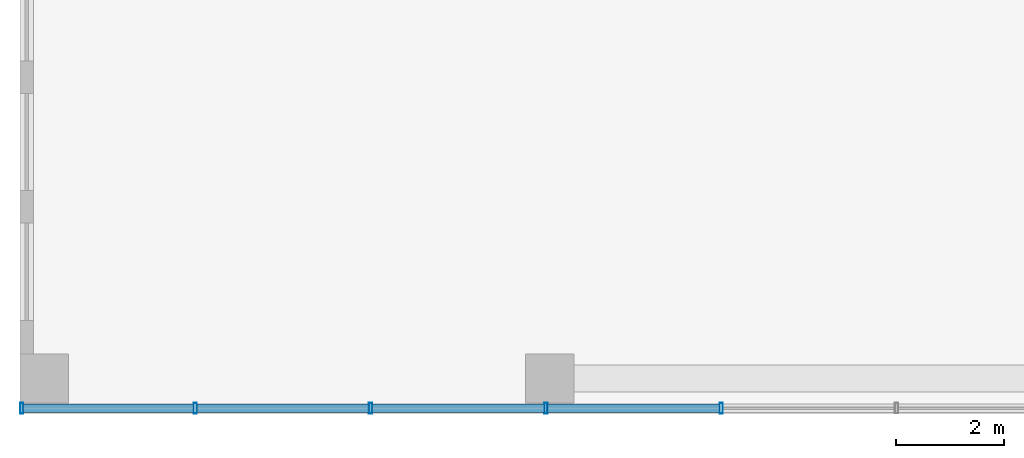
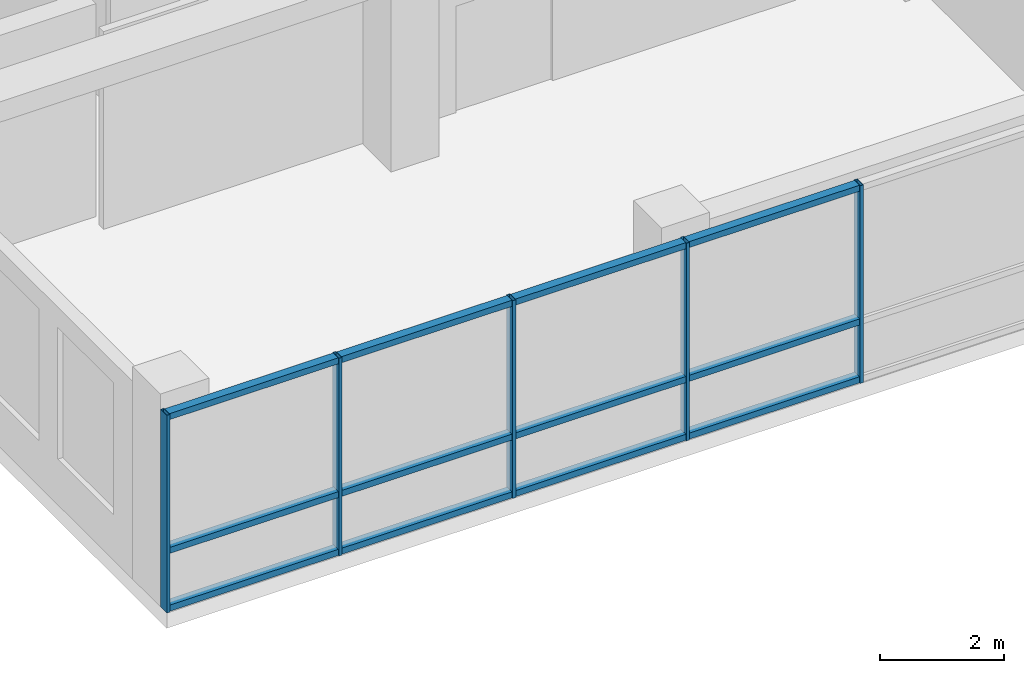
# One storey, part 2 of 38: 17 members, 1 element without a shape of its own.
"""IFC4 building model written with IfcOpenShell, lengths in metres."""

import ifcopenshell
import ifcopenshell.guid

model = None  # the IFC model being written
_history = None  # IfcOwnerHistory: only IFC2X3 demands one
_inside = {}  # id of a spatial element -> (the spatial element, [elements in it])
_under = {}  # id of a project, library or spatial element -> (it, [spatial elements below it])
_declared = {}  # id of a project -> (the project, [libraries it declares])
_typed = {}  # id of a type object -> (the type object, [elements of that type])
_made_of = {}  # id of a material, layer set ... -> (it, [elements and type objects made of it])


def new_model(schema):
    """Start an empty IFC model of exactly this schema.

    Asked for "IFC4X3", IfcOpenShell would pick the latest addendum, in which some entities
    have other attributes; the version numbers below select the first issue.
    IFC2X3 requires an IfcOwnerHistory on every rooted entity: one is made here for all.
    """
    global model, _history
    if schema == "IFC4X3":
        model = ifcopenshell.file(schema_version=(4, 3, 0, 0))
    else:
        model = ifcopenshell.file(schema=schema)
    _inside.clear()
    _under.clear()
    _declared.clear()
    _typed.clear()
    _made_of.clear()
    _history = None
    if model.schema == "IFC2X3":
        org = make("IfcOrganization", Name="unknown")
        user = make(
            "IfcPersonAndOrganization",
            ThePerson=make("IfcPerson", FamilyName="unknown"),
            TheOrganization=org,
        )
        app = make(
            "IfcApplication",
            ApplicationDeveloper=org,
            Version="unknown",
            ApplicationFullName="unknown",
            ApplicationIdentifier="unknown",
        )
        _history = make(
            "IfcOwnerHistory",
            OwningUser=user,
            OwningApplication=app,
            ChangeAction="ADDED",
            CreationDate=0,
        )
    return model


def make(cls, **values):
    """One entity of the class cls with the attributes given. An attribute that is None is left unset."""
    return model.create_entity(
        cls, **{name: value for name, value in values.items() if value is not None}
    )


def rooted(cls, **values):
    """An entity with a GlobalId (a new one), such as an element, a storey or a relation."""
    return make(cls, GlobalId=ifcopenshell.guid.new(), OwnerHistory=_history, **values)


def si_unit(unit_type, name, prefix=None):
    """IfcSIUnit, for example si_unit("LENGTHUNIT", "METRE", prefix="MILLI")."""
    return make("IfcSIUnit", UnitType=unit_type, Prefix=prefix, Name=name)


def assignment(units):
    """IfcUnitAssignment: the units of a project."""
    return None if units is None else make("IfcUnitAssignment", Units=units)


def point(xyz):
    """IfcCartesianPoint."""
    return None if xyz is None else make("IfcCartesianPoint", Coordinates=xyz)


def direction(xyz):
    """IfcDirection."""
    return None if xyz is None else make("IfcDirection", DirectionRatios=xyz)


def frame(location, z_axis=None, x_axis=None):
    """IfcAxis2Placement3D, a coordinate frame: its origin and axes. An axis left out is left unset."""
    return make(
        "IfcAxis2Placement3D",
        Location=point(location),
        Axis=direction(z_axis),
        RefDirection=direction(x_axis),
    )


def frame_2d(location, x_axis=None):
    """IfcAxis2Placement2D, a coordinate frame in the plane: its origin and x axis."""
    return make(
        "IfcAxis2Placement2D", Location=point(location), RefDirection=direction(x_axis)
    )


def origin():
    """The frame at (0, 0, 0) with its axes left unset."""
    return frame((0.0, 0.0, 0.0))


def origin_2d():
    """The frame at (0, 0) in the plane with its x axis left unset."""
    return frame_2d((0.0, 0.0))


def place(relative_to, where):
    """IfcLocalPlacement: puts the frame where relative to a parent placement (None: the world)."""
    return make(
        "IfcLocalPlacement", PlacementRelTo=relative_to, RelativePlacement=where
    )


def context(
    kind, dimensions, precision=None, world=None, true_north=None, identifier=None
):
    """IfcGeometricRepresentationContext, for example the 3D "Model" context."""
    return make(
        "IfcGeometricRepresentationContext",
        ContextIdentifier=identifier,
        ContextType=kind,
        CoordinateSpaceDimension=dimensions,
        Precision=precision,
        WorldCoordinateSystem=world,
        TrueNorth=true_north,
    )


def subcontext(parent, identifier, kind, view, scale=None):
    """IfcGeometricRepresentationSubContext, for example "Body" below "Model"."""
    return make(
        "IfcGeometricRepresentationSubContext",
        ContextIdentifier=identifier,
        ContextType=kind,
        ParentContext=parent,
        TargetScale=scale,
        TargetView=view,
    )


def project(units=None, contexts=None):
    """IfcProject with its units and contexts."""
    return rooted(
        "IfcProject",
        Name="project",
        RepresentationContexts=contexts,
        UnitsInContext=assignment(units),
    )


def spatial(cls, under=None, at=None, **own):
    """A site, building, storey or space (cls), placed at a placement, below another one or the project."""
    s = rooted(cls, ObjectPlacement=at, **own)
    if under is not None:
        _under.setdefault(under.id(), (under, []))[1].append(s)
    return s


def profile(cls, at=None, kind="AREA", **sizes):
    """A parametric profile (cls). Its sizes go by their IFC names, for example OverallWidth=200.0."""
    return make(cls, ProfileType=kind, Position=at, **sizes)


def hollow_rectangle(**sizes):
    """IfcRectangleHollowProfileDef."""
    return profile("IfcRectangleHollowProfileDef", **sizes)


def extrude(swept, where, along, depth):
    """IfcExtrudedAreaSolid: the profile swept, set in the frame where, extruded along a direction by depth."""
    return make(
        "IfcExtrudedAreaSolid",
        SweptArea=swept,
        Position=where,
        ExtrudedDirection=direction(along),
        Depth=depth,
    )


def shape(context_of_items, identifier, shape_type, items):
    """IfcShapeRepresentation: the items that make up one representation, for example the "Body"."""
    return make(
        "IfcShapeRepresentation",
        ContextOfItems=context_of_items,
        RepresentationIdentifier=identifier,
        RepresentationType=shape_type,
        Items=items,
    )


def material(Name=None, Category=None):
    """IfcMaterial."""
    return make("IfcMaterial", Name=Name, Category=Category)


def layer(
    of_material, thickness, ventilated=None, Name=None, Category=None, Priority=None
):
    """IfcMaterialLayer: one layer of a wall or slab, of a material (None: an air gap)."""
    return make(
        "IfcMaterialLayer",
        Material=of_material,
        LayerThickness=thickness,
        IsVentilated=ventilated,
        Name=Name,
        Category=Category,
        Priority=Priority,
    )


def layer_set(layers, Name=None):
    """IfcMaterialLayerSet."""
    return make("IfcMaterialLayerSet", MaterialLayers=layers, LayerSetName=Name)


def material_profile(
    of_material, cross_section, Name=None, Category=None, Priority=None
):
    """IfcMaterialProfile: a cross section and its material."""
    return make(
        "IfcMaterialProfile",
        Name=Name,
        Material=of_material,
        Profile=cross_section,
        Priority=Priority,
        Category=Category,
    )


def profile_set(profiles, Name=None, composite=None):
    """IfcMaterialProfileSet."""
    return make(
        "IfcMaterialProfileSet",
        Name=Name,
        MaterialProfiles=profiles,
        CompositeProfile=composite,
    )


def made_of(thing, what):
    """Note that an element or type object is made of a material, layer set ...; save() writes the relation."""
    if what is not None:
        _made_of.setdefault(what.id(), (what, []))[1].append(thing)
    return thing


def type_object(cls, material=None, **own):
    """A type object (cls), such as IfcWallType, which elements share."""
    return made_of(rooted(cls, **own), material)


def element(
    cls,
    number,
    at=None,
    inside=None,
    cuts=None,
    type_object=None,
    material=None,
    context=None,
    identifier="Body",
    shape_type=None,
    held_by="IfcProductDefinitionShape",
    body=None,
    shapes=None,
    **own,
):
    """One element of the class cls, such as IfcWall. Its Tag is "e" and its number.

    at: its placement. inside: the storey or other place that contains it. cuts: it is an
    opening in that element (IfcRelVoidsElement). A single representation is given by context,
    identifier, shape_type and body (its items); several are given by shapes. held_by: the class
    of the entity that holds the representations. save() writes the other relations.
    """
    e = rooted(cls, Tag="e%d" % number, ObjectPlacement=at, **own)
    if body is not None:
        shapes = [shape(context, identifier, shape_type, body)]
    if shapes is not None:
        e.Representation = make(held_by, Representations=shapes)
    if inside is not None:
        _inside.setdefault(inside.id(), (inside, []))[1].append(e)
    if cuts is not None:
        rooted(
            "IfcRelVoidsElement", RelatingBuildingElement=cuts, RelatedOpeningElement=e
        )
    if type_object is not None:
        _typed.setdefault(type_object.id(), (type_object, []))[1].append(e)
    return made_of(e, material)


def aggregate(whole, parts):
    """IfcRelAggregates: a whole, such as a stair, and the parts it consists of."""
    return rooted("IfcRelAggregates", RelatingObject=whole, RelatedObjects=parts)


def save(model, path):
    """Write the relations noted so far, then the file.

    IfcRelAggregates (storeys below a building ...), IfcRelContainedInSpatialStructure (elements
    in a storey), IfcRelDefinesByType, IfcRelAssociatesMaterial and IfcRelDeclares: one each for
    every whole, place, type object, material and project.
    """
    for whole, parts in _under.values():
        aggregate(whole, parts)
    for where, things in _inside.values():
        rooted(
            "IfcRelContainedInSpatialStructure",
            RelatedElements=things,
            RelatingStructure=where,
        )
    for kind, things in _typed.values():
        rooted("IfcRelDefinesByType", RelatedObjects=things, RelatingType=kind)
    for what, things in _made_of.values():
        rooted("IfcRelAssociatesMaterial", RelatedObjects=things, RelatingMaterial=what)
    for by, libraries in _declared.values():
        rooted("IfcRelDeclares", RelatingContext=by, RelatedDefinitions=libraries)
    model.write(path)


model = new_model("IFC4")

# Units and contexts
model_context = context("Model", 3, precision=1e-05, world=origin(), true_north=direction((0.0, 1.0)))
body_context = subcontext(model_context, "Body", "Model", "MODEL_VIEW")
ifc_project = project(units=[si_unit("LENGTHUNIT", "METRE"), si_unit("AREAUNIT", "SQUARE_METRE"), si_unit("VOLUMEUNIT", "CUBIC_METRE"), si_unit("PLANEANGLEUNIT", "RADIAN"), si_unit("MASSUNIT", "GRAM", prefix="KILO")], contexts=[model_context])

# Site, building, storey
site_placement = place(None, origin())
site = spatial("IfcSite", under=ifc_project, at=site_placement, CompositionType="ELEMENT")
building_placement = place(site_placement, origin())
building = spatial("IfcBuilding", under=site, at=building_placement, Name="Nzadi Deep Aquarium and Research Tower", CompositionType="ELEMENT")
storey_placement = place(building_placement, frame((0.0, 0.0, 65.5)))
storey = spatial("IfcBuildingStorey", under=building, at=storey_placement, Name="L13", CompositionType="ELEMENT", Elevation=65.5)

# Curtain wall, members
ifc_material_1 = material(Name="Aluminium unitised frame", Category="aluminium")
ifc_layer = layer(ifc_material_1, 0.199951171875)
ifc_layer_set = layer_set([ifc_layer], Name="Aluminium unitised frame")
curtain_wall_type = type_object("IfcCurtainWallType", Name="Curtain wall Unitised 200", PredefinedType="NOTDEFINED", material=ifc_layer_set)
curtain_wall_placement = place(storey_placement, origin())
curtain_wall = element("IfcCurtainWall", 1, at=curtain_wall_placement, inside=storey, type_object=curtain_wall_type, Name="Unitised curtain wall blade A south L13", PredefinedType="NOTDEFINED")
ifc_material_2 = material(Name="Aluminium unitised frame", Category="aluminium")
ifc_material_profile_1 = material_profile(ifc_material_2, hollow_rectangle(XDim=0.199951171875, YDim=0.06005859375, WallThickness=0.0048828125, at=origin_2d()))
ifc_profile_set_1 = profile_set([ifc_material_profile_1], Name="Aluminium unitised frame")
member_type_1 = type_object("IfcMemberType", Name="Mullion 60x200 Unitised", PredefinedType="MULLION", material=ifc_profile_set_1)
member_1_placement = place(storey_placement, frame((-0.16943359375, -0.10009765625, 0.0), z_axis=(0.0, 0.0, 1.0), x_axis=(0.0, 1.0, 0.0)))
member_1 = element("IfcMember", 2, at=member_1_placement, type_object=member_type_1, Name="CW057 mullion 1", PredefinedType="MULLION", context=body_context, shape_type="SweptSolid", body=[
    extrude(hollow_rectangle(XDim=0.199951171875, YDim=0.06005859375, WallThickness=0.0048828125, at=origin_2d()), origin(), (0.0, 0.0, 1.0), 3.89990234375),
])
member_2_placement = place(storey_placement, frame((3.043212890625, -0.10009765625, 0.0), z_axis=(0.0, 0.0, 1.0), x_axis=(0.0, 1.0, 0.0)))
member_2 = element("IfcMember", 3, at=member_2_placement, type_object=member_type_1, Name="CW057 mullion 2", PredefinedType="MULLION", context=body_context, shape_type="SweptSolid", body=[
    extrude(hollow_rectangle(XDim=0.199951171875, YDim=0.06005859375, WallThickness=0.0048828125, at=origin_2d()), origin(), (0.0, 0.0, 1.0), 3.89990234375),
])
member_3_placement = place(storey_placement, frame((6.28662109375, -0.10009765625, 0.0), z_axis=(0.0, 0.0, 1.0), x_axis=(0.0, 1.0, 0.0)))
member_3 = element("IfcMember", 4, at=member_3_placement, type_object=member_type_1, Name="CW057 mullion 3", PredefinedType="MULLION", context=body_context, shape_type="SweptSolid", body=[
    extrude(hollow_rectangle(XDim=0.199951171875, YDim=0.06005859375, WallThickness=0.0048828125, at=origin_2d()), origin(), (0.0, 0.0, 1.0), 3.89990234375),
])
member_4_placement = place(storey_placement, frame((9.530029296875, -0.10009765625, 0.0), z_axis=(0.0, 0.0, 1.0), x_axis=(0.0, 1.0, 0.0)))
member_4 = element("IfcMember", 5, at=member_4_placement, type_object=member_type_1, Name="CW057 mullion 4", PredefinedType="MULLION", context=body_context, shape_type="SweptSolid", body=[
    extrude(hollow_rectangle(XDim=0.199951171875, YDim=0.06005859375, WallThickness=0.0048828125, at=origin_2d()), origin(), (0.0, 0.0, 1.0), 3.89990234375),
])
member_5_placement = place(storey_placement, frame((12.7734375, -0.10009765625, 0.0), z_axis=(0.0, 0.0, 1.0), x_axis=(0.0, 1.0, 0.0)))
member_5 = element("IfcMember", 6, at=member_5_placement, type_object=member_type_1, Name="CW057 mullion 5", PredefinedType="MULLION", context=body_context, shape_type="SweptSolid", body=[
    extrude(hollow_rectangle(XDim=0.199951171875, YDim=0.06005859375, WallThickness=0.0048828125, at=origin_2d()), origin(), (0.0, 0.0, 1.0), 3.89990234375),
])
ifc_material_3 = material(Name="Aluminium unitised frame", Category="aluminium")
ifc_material_profile_2 = material_profile(ifc_material_3, hollow_rectangle(XDim=0.159912109375, YDim=0.1201171875, WallThickness=0.0048828125, at=origin_2d()))
ifc_profile_set_2 = profile_set([ifc_material_profile_2], Name="Aluminium unitised frame")
member_type_2 = type_object("IfcMemberType", Name="Transom 120x160 Unitised", PredefinedType="MULLION", material=ifc_profile_set_2)
member_6_placement = place(storey_placement, frame((-0.139892578125, -0.10009765625, 0.06005859375), z_axis=(1.0, 0.0, 0.0), x_axis=(0.0, 1.0, 0.0)))
member_6 = element("IfcMember", 7, at=member_6_placement, type_object=member_type_2, Name="CW057 transom 1.1", PredefinedType="MULLION", context=body_context, shape_type="SweptSolid", body=[
    extrude(hollow_rectangle(XDim=0.159912109375, YDim=0.1201171875, WallThickness=0.0048828125, at=origin_2d()), origin(), (0.0, 0.0, 1.0), 3.1533203125),
])
member_7_placement = place(storey_placement, frame((-0.139892578125, -0.10009765625, 1.199951171875), z_axis=(1.0, 0.0, 0.0), x_axis=(0.0, 1.0, 0.0)))
member_7 = element("IfcMember", 8, at=member_7_placement, type_object=member_type_2, Name="CW057 transom 1.2", PredefinedType="MULLION", context=body_context, shape_type="SweptSolid", body=[
    extrude(hollow_rectangle(XDim=0.159912109375, YDim=0.1201171875, WallThickness=0.0048828125, at=origin_2d()), origin(), (0.0, 0.0, 1.0), 3.1533203125),
])
member_8_placement = place(storey_placement, frame((-0.139892578125, -0.10009765625, 3.840087890625), z_axis=(1.0, 0.0, 0.0), x_axis=(0.0, 1.0, 0.0)))
member_8 = element("IfcMember", 9, at=member_8_placement, type_object=member_type_2, Name="CW057 transom 1.3", PredefinedType="MULLION", context=body_context, shape_type="SweptSolid", body=[
    extrude(hollow_rectangle(XDim=0.159912109375, YDim=0.1201171875, WallThickness=0.0048828125, at=origin_2d()), origin(), (0.0, 0.0, 1.0), 3.1533203125),
])
member_9_placement = place(storey_placement, frame((3.0732421875, -0.10009765625, 0.06005859375), z_axis=(1.0, 0.0, 0.0), x_axis=(0.0, 1.0, 0.0)))
member_9 = element("IfcMember", 10, at=member_9_placement, type_object=member_type_2, Name="CW057 transom 2.1", PredefinedType="MULLION", context=body_context, shape_type="SweptSolid", body=[
    extrude(hollow_rectangle(XDim=0.159912109375, YDim=0.1201171875, WallThickness=0.0048828125, at=origin_2d()), origin(), (0.0, 0.0, 1.0), 3.183349609375),
])
member_10_placement = place(storey_placement, frame((3.0732421875, -0.10009765625, 1.199951171875), z_axis=(1.0, 0.0, 0.0), x_axis=(0.0, 1.0, 0.0)))
member_10 = element("IfcMember", 11, at=member_10_placement, type_object=member_type_2, Name="CW057 transom 2.2", PredefinedType="MULLION", context=body_context, shape_type="SweptSolid", body=[
    extrude(hollow_rectangle(XDim=0.159912109375, YDim=0.1201171875, WallThickness=0.0048828125, at=origin_2d()), origin(), (0.0, 0.0, 1.0), 3.183349609375),
])
member_11_placement = place(storey_placement, frame((3.0732421875, -0.10009765625, 3.840087890625), z_axis=(1.0, 0.0, 0.0), x_axis=(0.0, 1.0, 0.0)))
member_11 = element("IfcMember", 12, at=member_11_placement, type_object=member_type_2, Name="CW057 transom 2.3", PredefinedType="MULLION", context=body_context, shape_type="SweptSolid", body=[
    extrude(hollow_rectangle(XDim=0.159912109375, YDim=0.1201171875, WallThickness=0.0048828125, at=origin_2d()), origin(), (0.0, 0.0, 1.0), 3.183349609375),
])
member_12_placement = place(storey_placement, frame((6.316650390625, -0.10009765625, 0.06005859375), z_axis=(1.0, 0.0, 0.0), x_axis=(0.0, 1.0, 0.0)))
member_12 = element("IfcMember", 13, at=member_12_placement, type_object=member_type_2, Name="CW057 transom 3.1", PredefinedType="MULLION", context=body_context, shape_type="SweptSolid", body=[
    extrude(hollow_rectangle(XDim=0.159912109375, YDim=0.1201171875, WallThickness=0.0048828125, at=origin_2d()), origin(), (0.0, 0.0, 1.0), 3.183349609375),
])
member_13_placement = place(storey_placement, frame((6.316650390625, -0.10009765625, 1.199951171875), z_axis=(1.0, 0.0, 0.0), x_axis=(0.0, 1.0, 0.0)))
member_13 = element("IfcMember", 14, at=member_13_placement, type_object=member_type_2, Name="CW057 transom 3.2", PredefinedType="MULLION", context=body_context, shape_type="SweptSolid", body=[
    extrude(hollow_rectangle(XDim=0.159912109375, YDim=0.1201171875, WallThickness=0.0048828125, at=origin_2d()), origin(), (0.0, 0.0, 1.0), 3.183349609375),
])
member_14_placement = place(storey_placement, frame((6.316650390625, -0.10009765625, 3.840087890625), z_axis=(1.0, 0.0, 0.0), x_axis=(0.0, 1.0, 0.0)))
member_14 = element("IfcMember", 15, at=member_14_placement, type_object=member_type_2, Name="CW057 transom 3.3", PredefinedType="MULLION", context=body_context, shape_type="SweptSolid", body=[
    extrude(hollow_rectangle(XDim=0.159912109375, YDim=0.1201171875, WallThickness=0.0048828125, at=origin_2d()), origin(), (0.0, 0.0, 1.0), 3.183349609375),
])
member_15_placement = place(storey_placement, frame((9.56005859375, -0.10009765625, 0.06005859375), z_axis=(1.0, 0.0, 0.0), x_axis=(0.0, 1.0, 0.0)))
member_15 = element("IfcMember", 16, at=member_15_placement, type_object=member_type_2, Name="CW057 transom 4.1", PredefinedType="MULLION", context=body_context, shape_type="SweptSolid", body=[
    extrude(hollow_rectangle(XDim=0.159912109375, YDim=0.1201171875, WallThickness=0.0048828125, at=origin_2d()), origin(), (0.0, 0.0, 1.0), 3.183349609375),
])
member_16_placement = place(storey_placement, frame((9.56005859375, -0.10009765625, 1.199951171875), z_axis=(1.0, 0.0, 0.0), x_axis=(0.0, 1.0, 0.0)))
member_16 = element("IfcMember", 17, at=member_16_placement, type_object=member_type_2, Name="CW057 transom 4.2", PredefinedType="MULLION", context=body_context, shape_type="SweptSolid", body=[
    extrude(hollow_rectangle(XDim=0.159912109375, YDim=0.1201171875, WallThickness=0.0048828125, at=origin_2d()), origin(), (0.0, 0.0, 1.0), 3.183349609375),
])
member_17_placement = place(storey_placement, frame((9.56005859375, -0.10009765625, 3.840087890625), z_axis=(1.0, 0.0, 0.0), x_axis=(0.0, 1.0, 0.0)))
member_17 = element("IfcMember", 18, at=member_17_placement, type_object=member_type_2, Name="CW057 transom 4.3", PredefinedType="MULLION", context=body_context, shape_type="SweptSolid", body=[
    extrude(hollow_rectangle(XDim=0.159912109375, YDim=0.1201171875, WallThickness=0.0048828125, at=origin_2d()), origin(), (0.0, 0.0, 1.0), 3.183349609375),
])
aggregate(curtain_wall, [member_1, member_2, member_3, member_4, member_5, member_6, member_7, member_8, member_9, member_10, member_11, member_12, member_13, member_14, member_15, member_16, member_17])

save(model, "model.ifc")
